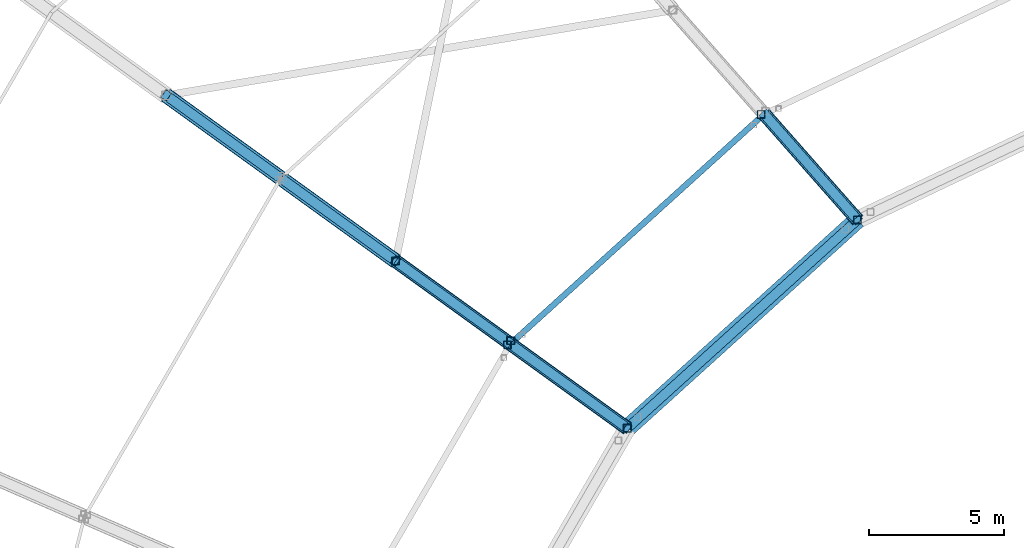
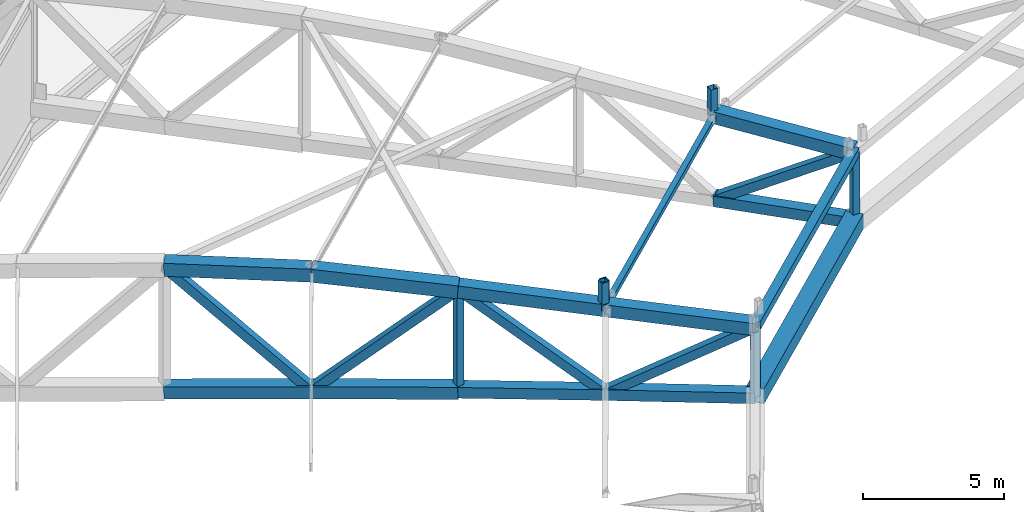
# One storey, part 45 of 162: 24 members.
"""IFC4 building model written with IfcOpenShell, lengths in metres."""

from ifc_helpers import new_model, si_unit, direction, frame, origin, origin_2d, place, context, subcontext, project, spatial, hollow_rectangle, extrude, material, material_profile, profile_set, type_object, element, save


model = new_model("IFC4")

# Units and contexts
model_context = context("Model", 3, precision=1e-05, world=origin(), true_north=direction((0.0, 1.0)))
body_context = subcontext(model_context, "Body", "Model", "MODEL_VIEW")
ifc_project = project(units=[si_unit("LENGTHUNIT", "METRE"), si_unit("AREAUNIT", "SQUARE_METRE"), si_unit("VOLUMEUNIT", "CUBIC_METRE"), si_unit("PLANEANGLEUNIT", "RADIAN"), si_unit("MASSUNIT", "GRAM", prefix="KILO")], contexts=[model_context])

# Site, building, storey
site_placement = place(None, origin())
site = spatial("IfcSite", under=ifc_project, at=site_placement, CompositionType="ELEMENT")
building_placement = place(site_placement, origin())
building = spatial("IfcBuilding", under=site, at=building_placement, Name="Kazemori Nagisa Stadium", CompositionType="ELEMENT")
storey_placement = place(building_placement, frame((0.0, 0.0, 36.719970703125)))
storey = spatial("IfcBuildingStorey", under=building, at=storey_placement, Name="RF", CompositionType="ELEMENT", Elevation=36.719970703125)

# Members
ifc_material = material(Name="Steel STKR490", Category="steel")
ifc_material_profile_1 = material_profile(ifc_material, hollow_rectangle(XDim=0.280029296875, YDim=0.280029296875, WallThickness=0.010009765625, at=origin_2d()), Name="SHS-280x280x10")
ifc_profile_set_1 = profile_set([ifc_material_profile_1], Name="Steel STKR490")
member_type_1 = type_object("IfcMemberType", Name="Member_ST-SHS280", PredefinedType="STUD", material=ifc_profile_set_1)
member_1_placement = place(storey_placement, frame((76.701416015625, 135.55322265625, 5.887939453125), z_axis=(0.0, 0.0, 1.0), x_axis=(1.0, 0.0, 0.0)))
element("IfcMember", 1, at=member_1_placement, inside=storey, type_object=member_type_1, Name="Canopy bearing stool B11-inner-3", PredefinedType="STUD", context=body_context, shape_type="SweptSolid", body=[
    extrude(hollow_rectangle(XDim=0.280029296875, YDim=0.280029296875, WallThickness=0.010009765625, at=origin_2d()), origin(), (0.0, 0.0, 1.0), 1.09912109375),
])
member_2_placement = place(storey_placement, frame((85.94775390625, 143.91357421875, 5.784912109375), z_axis=(0.0, 0.0, 1.0), x_axis=(1.0, 0.0, 0.0)))
element("IfcMember", 2, at=member_2_placement, inside=storey, type_object=member_type_1, Name="Canopy bearing stool B11-inner-4", PredefinedType="STUD", context=body_context, shape_type="SweptSolid", body=[
    extrude(hollow_rectangle(XDim=0.280029296875, YDim=0.280029296875, WallThickness=0.010009765625, at=origin_2d()), origin(), (0.0, 0.0, 1.0), 1.2021484375),
])
member_3_placement = place(storey_placement, frame((76.57470703125, 135.3935546875, 5.887939453125), z_axis=(0.0, 0.0, 1.0), x_axis=(1.0, 0.0, 0.0)))
element("IfcMember", 3, at=member_3_placement, inside=storey, type_object=member_type_1, Name="Canopy bearing stool B12-inner-4", PredefinedType="STUD", context=body_context, shape_type="SweptSolid", body=[
    extrude(hollow_rectangle(XDim=0.280029296875, YDim=0.280029296875, WallThickness=0.010009765625, at=origin_2d()), origin(), (0.0, 0.0, 1.0), 1.18505859375),
])
ifc_material_profile_2 = material_profile(ifc_material, hollow_rectangle(XDim=0.360107421875, YDim=0.360107421875, WallThickness=0.013916015625, at=origin_2d()), Name="SHS-360x360x14")
ifc_profile_set_2 = profile_set([ifc_material_profile_2], Name="Steel STKR490")
member_type_2 = type_object("IfcMemberType", Name="Member_TB-SHS360", PredefinedType="BRACE", material=ifc_profile_set_2)
member_4_placement = place(storey_placement, frame((86.067138671875, 143.9248046875, 2.151123046875), z_axis=(0.563076083874, -0.639180396445, 0.523826063278), x_axis=(0.750365637708, 0.661023002434, 0.0)))
element("IfcMember", 4, at=member_4_placement, inside=storey, type_object=member_type_2, Name="Roof space truss diagonal RT-11-9", PredefinedType="BRACE", context=body_context, shape_type="SweptSolid", body=[
    extrude(hollow_rectangle(XDim=0.360107421875, YDim=0.360107421875, WallThickness=0.013916015625, at=origin_2d()), origin(), (0.0, 0.0, 1.0), 6.114501953125),
])
member_5_placement = place(storey_placement, frame((63.971435546875, 144.614013671875, 6.56005859375), z_axis=(0.587906417001, -0.424422245749, -0.688644902808), x_axis=(0.585330267791, 0.810794966442, 0.0)))
element("IfcMember", 5, at=member_5_placement, inside=storey, type_object=member_type_2, Name="Roof space truss diagonal RT-12-6", PredefinedType="BRACE", context=body_context, shape_type="SweptSolid", body=[
    extrude(hollow_rectangle(XDim=0.360107421875, YDim=0.360107421875, WallThickness=0.013916015625, at=origin_2d()), origin(), (0.0, 0.0, 1.0), 7.2099609375),
])
member_6_placement = place(storey_placement, frame((68.210205078125, 141.553955078125, 1.594970703125), z_axis=(0.601110086972, -0.433954258156, 0.671081489216), x_axis=(0.585330267791, 0.810794966442, 0.0)))
element("IfcMember", 6, at=member_6_placement, inside=storey, type_object=member_type_2, Name="Roof space truss diagonal RT-12-7", PredefinedType="BRACE", context=body_context, shape_type="SweptSolid", body=[
    extrude(hollow_rectangle(XDim=0.360107421875, YDim=0.360107421875, WallThickness=0.013916015625, at=origin_2d()), origin(), (0.0, 0.0, 1.0), 7.051513671875),
])
member_7_placement = place(storey_placement, frame((72.448974609375, 138.493896484375, 6.3271484375), z_axis=(0.63793255739, -0.460537188937, -0.617209486178), x_axis=(0.585330267791, 0.810794966442, 0.0)))
element("IfcMember", 7, at=member_7_placement, inside=storey, type_object=member_type_2, Name="Roof space truss diagonal RT-12-8", PredefinedType="BRACE", context=body_context, shape_type="SweptSolid", body=[
    extrude(hollow_rectangle(XDim=0.360107421875, YDim=0.360107421875, WallThickness=0.013916015625, at=origin_2d()), origin(), (0.0, 0.0, 1.0), 6.64453125),
])
member_8_placement = place(storey_placement, frame((76.687744140625, 135.433837890625, 2.22607421875), z_axis=(0.693623996756, -0.500752357778, 0.517815437492), x_axis=(0.585338201733, 0.8107892387, 0.0)))
element("IfcMember", 8, at=member_8_placement, inside=storey, type_object=member_type_2, Name="Roof space truss diagonal RT-12-9", PredefinedType="BRACE", context=body_context, shape_type="SweptSolid", body=[
    extrude(hollow_rectangle(XDim=0.360107421875, YDim=0.360107421875, WallThickness=0.013916015625, at=origin_2d()), origin(), (0.0, 0.0, 1.0), 6.22412109375),
])
ifc_material_profile_3 = material_profile(ifc_material, hollow_rectangle(XDim=0.35009765625, YDim=0.35009765625, WallThickness=0.01611328125, at=origin_2d()), Name="SHS-350x350x16")
ifc_profile_set_3 = profile_set([ifc_material_profile_3], Name="Steel STKR490")
member_type_3 = type_object("IfcMemberType", Name="Member_TC-SHS350", PredefinedType="CHORD", material=ifc_profile_set_3)
member_9_placement = place(storey_placement, frame((89.510009765625, 140.0166015625, 5.35400390625), z_axis=(-0.74132179778, -0.671098703579, 0.008277813225), x_axis=(0.671121697338, -0.741347197582, 0.0)))
element("IfcMember", 9, at=member_9_placement, inside=storey, type_object=member_type_3, Name="Roof tension ring beam upper TR-11", PredefinedType="CHORD", context=body_context, shape_type="SweptSolid", body=[
    extrude(hollow_rectangle(XDim=0.35009765625, YDim=0.35009765625, WallThickness=0.01611328125, at=origin_2d()), origin(), (0.0, 0.0, 1.0), 11.472900390625),
])
ifc_material_profile_4 = material_profile(ifc_material, hollow_rectangle(XDim=0.4599609375, YDim=0.4599609375, WallThickness=0.01611328125, at=origin_2d()), Name="SHS-460x460x16")
ifc_profile_set_4 = profile_set([ifc_material_profile_4], Name="Steel STKR490")
member_type_4 = type_object("IfcMemberType", Name="Member_TC-SHS460", PredefinedType="CHORD", material=ifc_profile_set_4)
member_10_placement = place(storey_placement, frame((86.067138671875, 143.9248046875, 2.151123046875), z_axis=(0.660423770143, -0.749685414299, 0.042570217491), x_axis=(0.750365637708, 0.661023002434, 0.0)))
element("IfcMember", 10, at=member_10_placement, inside=storey, type_object=member_type_4, Name="Roof space truss bottom chord RT-11-9", PredefinedType="CHORD", context=body_context, shape_type="SweptSolid", body=[
    extrude(hollow_rectangle(XDim=0.4599609375, YDim=0.4599609375, WallThickness=0.01611328125, at=origin_2d()), origin(), (0.0, 0.0, 1.0), 5.213134765625),
])
member_11_placement = place(storey_placement, frame((72.448974609375, 138.493896484375, 1.953125), z_axis=(0.80969215701, -0.584534126021, 0.052138914384), x_axis=(0.585330267791, 0.810794966442, 0.0)))
element("IfcMember", 11, at=member_11_placement, inside=storey, type_object=member_type_4, Name="Roof space truss bottom chord RT-12-8", PredefinedType="CHORD", context=body_context, shape_type="SweptSolid", body=[
    extrude(hollow_rectangle(XDim=0.4599609375, YDim=0.4599609375, WallThickness=0.01611328125, at=origin_2d()), origin(), (0.0, 0.0, 1.0), 5.235107421875),
])
member_12_placement = place(storey_placement, frame((76.687744140625, 135.433837890625, 2.22607421875), z_axis=(0.810008177352, -0.584774325175, 0.043883268331), x_axis=(0.585338201733, 0.8107892387, 0.0)))
element("IfcMember", 12, at=member_12_placement, inside=storey, type_object=member_type_4, Name="Roof space truss bottom chord RT-12-9", PredefinedType="CHORD", context=body_context, shape_type="SweptSolid", body=[
    extrude(hollow_rectangle(XDim=0.4599609375, YDim=0.4599609375, WallThickness=0.01611328125, at=origin_2d()), origin(), (0.0, 0.0, 1.0), 5.329833984375),
])
ifc_material_profile_5 = material_profile(ifc_material, hollow_rectangle(XDim=0.52001953125, YDim=0.52001953125, WallThickness=0.01904296875, at=origin_2d()), Name="SHS-520x520x19")
ifc_profile_set_5 = profile_set([ifc_material_profile_5], Name="Steel STKR490")
member_type_5 = type_object("IfcMemberType", Name="Member_TC-SHS520", PredefinedType="CHORD", material=ifc_profile_set_5)
member_13_placement = place(storey_placement, frame((86.067138671875, 143.9248046875, 5.784912109375), z_axis=(0.658772263164, -0.74781069272, -0.08245164122), x_axis=(0.750365637708, 0.661023002434, 0.0)))
element("IfcMember", 13, at=member_13_placement, inside=storey, type_object=member_type_5, Name="Roof space truss top chord RT-11-9", PredefinedType="CHORD", context=body_context, shape_type="SweptSolid", body=[
    extrude(hollow_rectangle(XDim=0.52001953125, YDim=0.52001953125, WallThickness=0.01904296875, at=origin_2d()), origin(), (0.0, 0.0, 1.0), 5.22607421875),
])
member_14_placement = place(storey_placement, frame((63.971435546875, 144.614013671875, 1.216064453125), z_axis=(0.808673773539, -0.583798933161, 0.072287852582), x_axis=(0.585330267791, 0.810794966442, 0.0)))
element("IfcMember", 14, at=member_14_placement, inside=storey, type_object=member_type_5, Name="Roof space truss bottom chord RT-12-6", PredefinedType="CHORD", context=body_context, shape_type="SweptSolid", body=[
    extrude(hollow_rectangle(XDim=0.52001953125, YDim=0.52001953125, WallThickness=0.01904296875, at=origin_2d()), origin(), (0.0, 0.0, 1.0), 5.24169921875),
])
member_15_placement = place(storey_placement, frame((68.210205078125, 141.553955078125, 1.594970703125), z_axis=(0.808898966076, -0.583961504481, 0.068347816106), x_axis=(0.585330267791, 0.810794966442, 0.0)))
element("IfcMember", 15, at=member_15_placement, inside=storey, type_object=member_type_5, Name="Roof space truss bottom chord RT-12-7", PredefinedType="CHORD", context=body_context, shape_type="SweptSolid", body=[
    extrude(hollow_rectangle(XDim=0.52001953125, YDim=0.52001953125, WallThickness=0.01904296875, at=origin_2d()), origin(), (0.0, 0.0, 1.0), 5.240234375),
])
member_16_placement = place(storey_placement, frame((72.448974609375, 138.493896484375, 6.3271484375), z_axis=(0.807948707504, -0.583275492446, -0.083717297823), x_axis=(0.585330267791, 0.810794966442, 0.0)))
element("IfcMember", 16, at=member_16_placement, inside=storey, type_object=member_type_5, Name="Roof space truss top chord RT-12-8", PredefinedType="CHORD", context=body_context, shape_type="SweptSolid", body=[
    extrude(hollow_rectangle(XDim=0.52001953125, YDim=0.52001953125, WallThickness=0.01904296875, at=origin_2d()), origin(), (0.0, 0.0, 1.0), 5.246337890625),
])
member_17_placement = place(storey_placement, frame((76.687744140625, 135.433837890625, 5.887939453125), z_axis=(0.808047951572, -0.583359166983, -0.082161975735), x_axis=(0.585338201733, 0.8107892387, 0.0)))
element("IfcMember", 17, at=member_17_placement, inside=storey, type_object=member_type_5, Name="Roof space truss top chord RT-12-9", PredefinedType="CHORD", context=body_context, shape_type="SweptSolid", body=[
    extrude(hollow_rectangle(XDim=0.52001953125, YDim=0.52001953125, WallThickness=0.01904296875, at=origin_2d()), origin(), (0.0, 0.0, 1.0), 5.3427734375),
])
ifc_material_profile_6 = material_profile(ifc_material, hollow_rectangle(XDim=0.56005859375, YDim=0.56005859375, WallThickness=0.02001953125, at=origin_2d()), Name="SHS-560x560x20")
ifc_profile_set_6 = profile_set([ifc_material_profile_6], Name="Steel STKR490")
member_type_6 = type_object("IfcMemberType", Name="Member_TC-SHS560", PredefinedType="CHORD", material=ifc_profile_set_6)
member_18_placement = place(storey_placement, frame((63.971435546875, 144.614013671875, 6.56005859375), z_axis=(0.81060876657, -0.585195846111, 0.021430101593), x_axis=(0.585330267791, 0.810794966442, 0.0)))
element("IfcMember", 18, at=member_18_placement, inside=storey, type_object=member_type_6, Name="Roof space truss top chord RT-12-6", PredefinedType="CHORD", context=body_context, shape_type="SweptSolid", body=[
    extrude(hollow_rectangle(XDim=0.56005859375, YDim=0.56005859375, WallThickness=0.02001953125, at=origin_2d()), origin(), (0.0, 0.0, 1.0), 5.22900390625),
])
member_19_placement = place(storey_placement, frame((68.210205078125, 141.553955078125, 6.672119140625), z_axis=(0.809035534269, -0.584060095987, -0.065843060127), x_axis=(0.585330267791, 0.810794966442, 0.0)))
element("IfcMember", 19, at=member_19_placement, inside=storey, type_object=member_type_6, Name="Roof space truss top chord RT-12-7", PredefinedType="CHORD", context=body_context, shape_type="SweptSolid", body=[
    extrude(hollow_rectangle(XDim=0.56005859375, YDim=0.56005859375, WallThickness=0.02001953125, at=origin_2d()), origin(), (0.0, 0.0, 1.0), 5.2392578125),
])
ifc_material_profile_7 = material_profile(ifc_material, hollow_rectangle(XDim=0.64990234375, YDim=0.64990234375, WallThickness=0.02490234375, at=origin_2d()), Name="SHS-650x650x25")
ifc_profile_set_7 = profile_set([ifc_material_profile_7], Name="Steel STKR490")
member_type_7 = type_object("IfcMemberType", Name="Member_TC-SHS650", PredefinedType="CHORD", material=ifc_profile_set_7)
member_20_placement = place(storey_placement, frame((89.510009765625, 140.0166015625, 2.373046875), z_axis=(-0.741325924287, -0.671102439195, 0.007575624452), x_axis=(0.671121697338, -0.741347197582, 0.0)))
element("IfcMember", 20, at=member_20_placement, inside=storey, type_object=member_type_7, Name="Roof tension ring beam lower TR-11", PredefinedType="CHORD", context=body_context, shape_type="SweptSolid", body=[
    extrude(hollow_rectangle(XDim=0.64990234375, YDim=0.64990234375, WallThickness=0.02490234375, at=origin_2d()), origin(), (0.0, 0.0, 1.0), 11.472900390625),
])
ifc_material_profile_8 = material_profile(ifc_material, hollow_rectangle(XDim=0.219970703125, YDim=0.219970703125, WallThickness=0.009033203125, at=origin_2d()), Name="SHS-220x220x9")
ifc_profile_set_8 = profile_set([ifc_material_profile_8], Name="Steel STKR490")
member_type_8 = type_object("IfcMemberType", Name="Member_TP-SHS220", PredefinedType="PURLIN", material=ifc_profile_set_8)
member_21_placement = place(storey_placement, frame((86.067138671875, 143.9248046875, 5.784912109375), z_axis=(-0.741320535874, -0.671101747024, 0.008142986781), x_axis=(0.671123997916, -0.741345114924, 0.0)))
element("IfcMember", 21, at=member_21_placement, inside=storey, type_object=member_type_8, Name="Roof purlin TP-SHS220 B11-P8", PredefinedType="PURLIN", context=body_context, shape_type="SweptSolid", body=[
    extrude(hollow_rectangle(XDim=0.219970703125, YDim=0.219970703125, WallThickness=0.009033203125, at=origin_2d()), origin(), (0.0, 0.0, 1.0), 12.65234375),
])
ifc_material_profile_9 = material_profile(ifc_material, hollow_rectangle(XDim=0.280029296875, YDim=0.280029296875, WallThickness=0.010009765625, at=origin_2d()), Name="SHS-280x280x10")
ifc_profile_set_9 = profile_set([ifc_material_profile_9], Name="Steel STKR490")
member_type_9 = type_object("IfcMemberType", Name="Member_TS-SHS280", PredefinedType="STRUT", material=ifc_profile_set_9)
member_22_placement = place(storey_placement, frame((89.510009765625, 140.0166015625, 2.373046875), z_axis=(0.0, 0.0, 1.0), x_axis=(1.0, 0.0, 0.0)))
element("IfcMember", 22, at=member_22_placement, inside=storey, type_object=member_type_9, Name="Roof space truss strut RT-11-10", PredefinedType="STRUT", context=body_context, shape_type="SweptSolid", body=[
    extrude(hollow_rectangle(XDim=0.280029296875, YDim=0.280029296875, WallThickness=0.010009765625, at=origin_2d()), origin(), (0.0, 0.0, 1.0), 2.98095703125),
])
member_23_placement = place(storey_placement, frame((72.448974609375, 138.493896484375, 1.953125), z_axis=(0.0, 0.0, 1.0), x_axis=(1.0, 0.0, 0.0)))
element("IfcMember", 23, at=member_23_placement, inside=storey, type_object=member_type_9, Name="Roof space truss strut RT-12-8", PredefinedType="STRUT", context=body_context, shape_type="SweptSolid", body=[
    extrude(hollow_rectangle(XDim=0.280029296875, YDim=0.280029296875, WallThickness=0.010009765625, at=origin_2d()), origin(), (0.0, 0.0, 1.0), 4.3740234375),
])
member_24_placement = place(storey_placement, frame((81.0048828125, 132.317138671875, 2.4599609375), z_axis=(0.0, 0.0, 1.0), x_axis=(1.0, 0.0, 0.0)))
element("IfcMember", 24, at=member_24_placement, inside=storey, type_object=member_type_9, Name="Roof space truss strut RT-12-10", PredefinedType="STRUT", context=body_context, shape_type="SweptSolid", body=[
    extrude(hollow_rectangle(XDim=0.280029296875, YDim=0.280029296875, WallThickness=0.010009765625, at=origin_2d()), origin(), (0.0, 0.0, 1.0), 2.989013671875),
])

save(model, "model.ifc")
